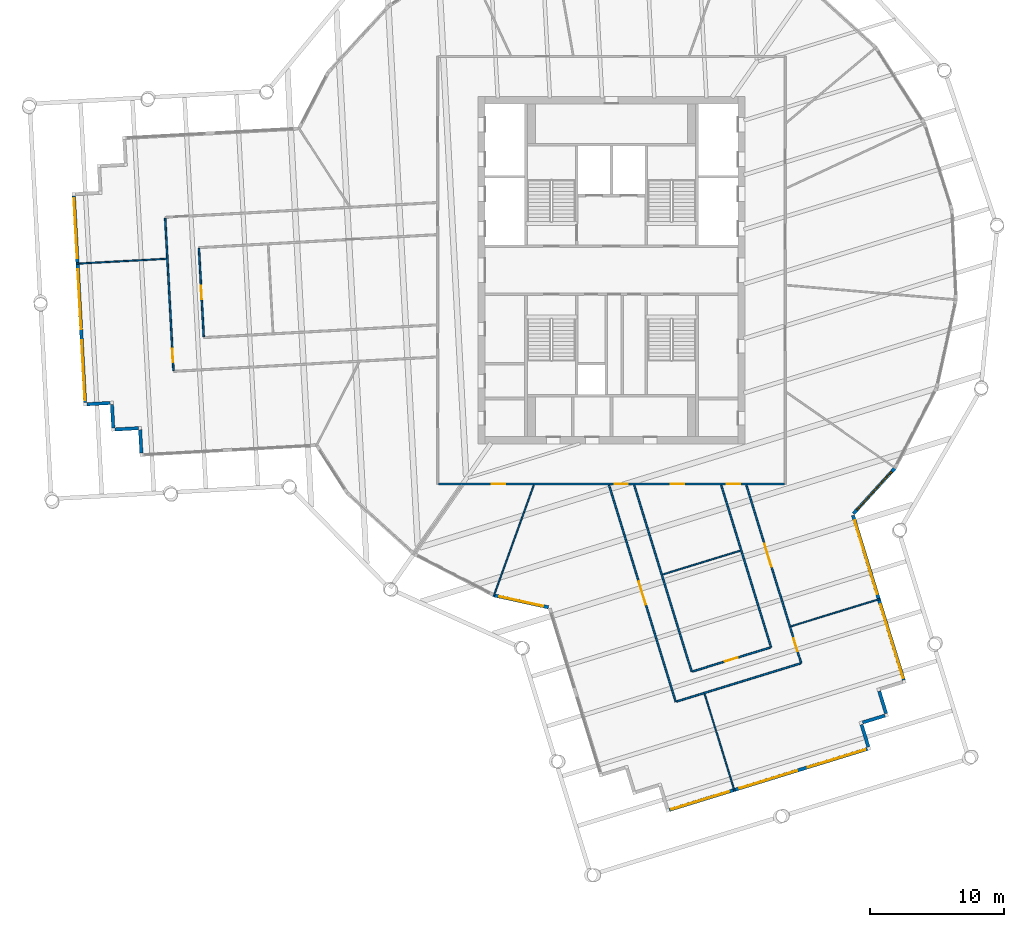
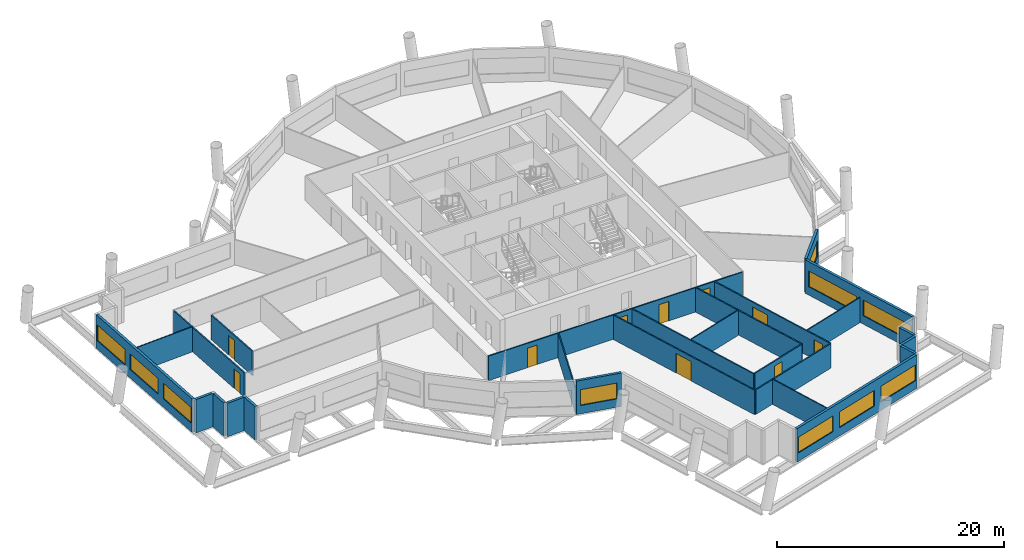
# One storey, part 3 of 11: 26 walls, 10 doors, 10 windows, 20 openings.
"""IFC4 building model written with IfcOpenShell, lengths in metres."""

from ifc_helpers import new_model, si_unit, direction, frame, frame_2d, origin, place, context, subcontext, project, spatial, rectangle, extrude, material, layer, layer_set, type_object, element, fill, save


model = new_model("IFC4")

# Units and contexts
model_context = context("Model", 3, precision=1e-05, world=origin(), true_north=direction((0.0, 1.0)))
body_context = subcontext(model_context, "Body", "Model", "MODEL_VIEW")
ifc_project = project(units=[si_unit("LENGTHUNIT", "METRE"), si_unit("AREAUNIT", "SQUARE_METRE"), si_unit("VOLUMEUNIT", "CUBIC_METRE"), si_unit("PLANEANGLEUNIT", "RADIAN"), si_unit("MASSUNIT", "GRAM", prefix="KILO")], contexts=[model_context])

# Site, building, storey
site_placement = place(None, origin())
site = spatial("IfcSite", under=ifc_project, at=site_placement, CompositionType="ELEMENT")
building_placement = place(site_placement, origin())
building = spatial("IfcBuilding", under=site, at=building_placement, Name="Tarsis Ring Headquarters", CompositionType="ELEMENT")
storey_placement = place(building_placement, frame((0.0, 0.0, 298.10009765625)))
storey = spatial("IfcBuildingStorey", under=building, at=storey_placement, Name="L70", CompositionType="ELEMENT", Elevation=298.10009765625)

# Walls
ifc_material_1 = material(Name="Gypsum board on steel studs", Category="steel")
ifc_layer_1 = layer(ifc_material_1, 0.10009765625)
ifc_layer_set_1 = layer_set([ifc_layer_1], Name="FL partition 100 unrated")
wall_type_1 = type_object("IfcWallType", Name="FL partition 100 unrated", PredefinedType="PARTITIONING", material=ifc_layer_set_1)
wall_1_placement = place(storey_placement, frame((-8.823486328125, -24.401611328125, 0.0), z_axis=(0.0, 0.0, 1.0), x_axis=(0.340042176136, 0.940410186274, 0.0)))
element("IfcWall", 1, at=wall_1_placement, inside=storey, type_object=wall_type_1, Name="Partition PW3", PredefinedType="PARTITIONING", context=body_context, shape_type="SweptSolid", body=[
    extrude(rectangle(XDim=8.85400390625, YDim=0.10009765625, at=frame_2d((4.427001953125, 0.0))), origin(), (0.0, 0.0, 1.0), 2.699951171875),
])
wall_2_placement = place(storey_placement, frame((6.97119140625, -31.70263671875, 0.0), z_axis=(0.0, 0.0, 1.0), x_axis=(0.294383805815, -0.955687278807, 0.0)))
element("IfcWall", 2, at=wall_2_placement, inside=storey, type_object=wall_type_1, Name="Partition PW3", PredefinedType="PARTITIONING", context=body_context, shape_type="SweptSolid", body=[
    extrude(rectangle(XDim=7.599853515625, YDim=0.10009765625, at=frame_2d((3.7998046875, 0.0))), origin(), (0.0, 0.0, 1.0), 2.699951171875),
])
wall_3_placement = place(storey_placement, frame((13.419921875, -26.650390625, 0.0), z_axis=(0.0, 0.0, 1.0), x_axis=(0.955691113244, 0.294371357415, 0.0)))
element("IfcWall", 3, at=wall_3_placement, inside=storey, type_object=wall_type_1, Name="Partition PW3", PredefinedType="PARTITIONING", context=body_context, shape_type="SweptSolid", body=[
    extrude(rectangle(XDim=6.969970703125, YDim=0.10009765625, at=frame_2d((3.48486328125, 0.0))), origin(), (0.0, 0.0, 1.0), 2.699951171875),
])
wall_4_placement = place(storey_placement, frame((-40.0361328125, 0.49169921875, 0.0), z_axis=(0.0, 0.0, 1.0), x_axis=(0.998518858148, 0.054406708443, 0.0)))
element("IfcWall", 4, at=wall_4_placement, inside=storey, type_object=wall_type_1, Name="Partition PW3", PredefinedType="PARTITIONING", context=body_context, shape_type="SweptSolid", body=[
    extrude(rectangle(XDim=6.739990234375, YDim=0.10009765625, at=frame_2d((3.3701171875, 0.0))), origin(), (0.0, 0.0, 1.0), 2.699951171875),
])
wall_5_placement = place(storey_placement, frame((3.8330078125, -22.7705078125, 0.0), z_axis=(0.0, 0.0, 1.0), x_axis=(0.955700834556, 0.294339794844, 0.0)))
element("IfcWall", 5, at=wall_5_placement, inside=storey, type_object=wall_type_1, Name="Partition PW3", PredefinedType="PARTITIONING", context=body_context, shape_type="SweptSolid", body=[
    extrude(rectangle(XDim=6.079833984375, YDim=0.10009765625, at=frame_2d((3.0400390625, 0.0))), origin(), (0.0, 0.0, 1.0), 2.699951171875),
])

# Wall, openings, doors
ifc_layer_2 = layer(ifc_material_1, 0.125)
ifc_layer_set_2 = layer_set([ifc_layer_2], Name="FL partition 125 EI 60 H2630")
wall_type_2 = type_object("IfcWallType", Name="FL partition 125 EI 60 H2630", PredefinedType="PARTITIONING", material=ifc_layer_set_2)
wall_6_placement = place(storey_placement, frame((-12.93994140625, -16.0, 0.0), z_axis=(0.0, 0.0, 1.0), x_axis=(1.0, 0.0, 0.0)))
wall_6 = element("IfcWall", 6, at=wall_6_placement, inside=storey, type_object=wall_type_2, Name="Partition PW1H263", PredefinedType="PARTITIONING", context=body_context, shape_type="SweptSolid", body=[
    extrude(rectangle(XDim=25.8798828125, YDim=0.125, at=frame_2d((12.93994140625, 0.0))), origin(), (0.0, 0.0, 1.0), 2.6298828125),
])
opening_1_placement = place(wall_6_placement, frame((3.970458984375, 0.0, 0.0)))
opening_1 = element("IfcOpeningElement", 7, at=opening_1_placement, cuts=wall_6, Name="Opening D70.13", PredefinedType="OPENING", context=body_context, shape_type="SweptSolid", body=[
    extrude(rectangle(XDim=1.0, YDim=2.10009765625, at=frame_2d((0.5, 1.050048828125))), frame((0.0, 0.072509765625, 0.0), z_axis=(0.0, -1.0, 0.0), x_axis=(1.0, 0.0, 0.0)), (0.0, 0.0, 1.0), 0.14501953125),
])
opening_2_placement = place(wall_6_placement, frame((17.368408203125, 0.0, 0.0)))
opening_2 = element("IfcOpeningElement", 8, at=opening_2_placement, cuts=wall_6, Name="Opening D70.17", PredefinedType="OPENING", context=body_context, shape_type="SweptSolid", body=[
    extrude(rectangle(XDim=1.0, YDim=2.10009765625, at=frame_2d((0.5, 1.050048828125))), frame((0.0, 0.072509765625, 0.0), z_axis=(0.0, -1.0, 0.0), x_axis=(1.0, 0.0, 0.0)), (0.0, 0.0, 1.0), 0.14501953125),
])
opening_3_placement = place(wall_6_placement, frame((13.17236328125, 0.0, 0.0)))
opening_3 = element("IfcOpeningElement", 9, at=opening_3_placement, cuts=wall_6, Name="Opening D70.19", PredefinedType="OPENING", context=body_context, shape_type="SweptSolid", body=[
    extrude(rectangle(XDim=1.0, YDim=2.10009765625, at=frame_2d((0.5, 1.050048828125))), frame((0.0, 0.072509765625, 0.0), z_axis=(0.0, -1.0, 0.0), x_axis=(1.0, 0.0, 0.0)), (0.0, 0.0, 1.0), 0.14501953125),
])
opening_4_placement = place(wall_6_placement, frame((21.564208984375, 0.0, 0.0)))
opening_4 = element("IfcOpeningElement", 10, at=opening_4_placement, cuts=wall_6, Name="Opening D70.20", PredefinedType="OPENING", context=body_context, shape_type="SweptSolid", body=[
    extrude(rectangle(XDim=1.0, YDim=2.10009765625, at=frame_2d((0.5, 1.050048828125))), frame((0.0, 0.072509765625, 0.0), z_axis=(0.0, -1.0, 0.0), x_axis=(1.0, 0.0, 0.0)), (0.0, 0.0, 1.0), 0.14501953125),
])
ifc_material_2 = material(Name="Fire-rated timber door leaf in steel frame", Category="steel")
door_type_1 = type_object("IfcDoorType", Name="FL door FD60-1000", OperationType="NOTDEFINED", PredefinedType="DOOR", material=ifc_material_2)
door_1_placement = place(opening_1_placement, origin())
door_1 = element("IfcDoor", 11, at=door_1_placement, inside=storey, type_object=door_type_1, Name="Door D70.13", OperationType="SINGLE_SWING_LEFT", OverallHeight=2.10009765625, OverallWidth=1.0, PredefinedType="DOOR", context=body_context, shape_type="SweptSolid", body=[
    extrude(rectangle(XDim=1.0, YDim=2.10009765625, at=frame_2d((0.5, 1.050048828125))), frame((0.0, 0.02490234375, 0.0), z_axis=(0.0, -1.0, 0.0), x_axis=(1.0, 0.0, 0.0)), (0.0, 0.0, 1.0), 0.050048828125),
])
fill(opening_1, door_1)
door_2_placement = place(opening_2_placement, origin())
door_2 = element("IfcDoor", 12, at=door_2_placement, inside=storey, type_object=door_type_1, Name="Door D70.17", OperationType="SINGLE_SWING_LEFT", OverallHeight=2.10009765625, OverallWidth=1.0, PredefinedType="DOOR", context=body_context, shape_type="SweptSolid", body=[
    extrude(rectangle(XDim=1.0, YDim=2.10009765625, at=frame_2d((0.5, 1.050048828125))), frame((0.0, 0.02490234375, 0.0), z_axis=(0.0, -1.0, 0.0), x_axis=(1.0, 0.0, 0.0)), (0.0, 0.0, 1.0), 0.050048828125),
])
fill(opening_2, door_2)
door_3_placement = place(opening_3_placement, origin())
door_3 = element("IfcDoor", 13, at=door_3_placement, inside=storey, type_object=door_type_1, Name="Door D70.19", OperationType="SINGLE_SWING_LEFT", OverallHeight=2.10009765625, OverallWidth=1.0, PredefinedType="DOOR", context=body_context, shape_type="SweptSolid", body=[
    extrude(rectangle(XDim=1.0, YDim=2.10009765625, at=frame_2d((0.5, 1.050048828125))), frame((0.0, 0.02490234375, 0.0), z_axis=(0.0, -1.0, 0.0), x_axis=(1.0, 0.0, 0.0)), (0.0, 0.0, 1.0), 0.050048828125),
])
fill(opening_3, door_3)
door_4_placement = place(opening_4_placement, origin())
door_4 = element("IfcDoor", 14, at=door_4_placement, inside=storey, type_object=door_type_1, Name="Door D70.20", OperationType="SINGLE_SWING_RIGHT", OverallHeight=2.10009765625, OverallWidth=1.0, PredefinedType="DOOR", context=body_context, shape_type="SweptSolid", body=[
    extrude(rectangle(XDim=1.0, YDim=2.10009765625, at=frame_2d((0.5, 1.050048828125))), frame((0.0, 0.02490234375, 0.0), z_axis=(0.0, -1.0, 0.0), x_axis=(1.0, 0.0, 0.0)), (0.0, 0.0, 1.0), 0.050048828125),
])
fill(opening_4, door_4)

# Wall, opening, door
wall_7_placement = place(storey_placement, frame((-0.185791015625, -16.076416015625, 0.0), z_axis=(0.0, 0.0, 1.0), x_axis=(0.294380008458, -0.955688448512, 0.0)))
wall_7 = element("IfcWall", 15, at=wall_7_placement, inside=storey, type_object=wall_type_2, Name="Partition PW1H263", PredefinedType="PARTITIONING", context=body_context, shape_type="SweptSolid", body=[
    extrude(rectangle(XDim=16.970703125, YDim=0.125, at=frame_2d((8.4853515625, 0.0))), origin(), (0.0, 0.0, 1.0), 2.6298828125),
])
opening_5_placement = place(wall_7_placement, frame((7.54541015625, 0.0, 0.0)))
opening_5 = element("IfcOpeningElement", 16, at=opening_5_placement, cuts=wall_7, Name="Opening D70.12", PredefinedType="OPENING", context=body_context, shape_type="SweptSolid", body=[
    extrude(rectangle(XDim=1.800048828125, YDim=2.10009765625, at=frame_2d((0.89990234375, 1.050048828125))), frame((0.0, 0.072509765625, 0.0), z_axis=(0.0, -1.0, 0.0), x_axis=(1.0, 0.0, 0.0)), (0.0, 0.0, 1.0), 0.14501953125),
])
door_type_2 = type_object("IfcDoorType", Name="FL door FD60-1800", OperationType="DOUBLE_DOOR_SINGLE_SWING", PredefinedType="DOOR", material=ifc_material_2)
door_5_placement = place(opening_5_placement, origin())
door_5 = element("IfcDoor", 17, at=door_5_placement, inside=storey, type_object=door_type_2, Name="Door D70.12", OperationType="DOUBLE_DOOR_SINGLE_SWING", OverallHeight=2.10009765625, OverallWidth=1.800048828125, PredefinedType="DOOR", context=body_context, shape_type="SweptSolid", body=[
    extrude(rectangle(XDim=1.800048828125, YDim=2.10009765625, at=frame_2d((0.89990234375, 1.050048828125))), frame((0.0, 0.02490234375, 0.0), z_axis=(0.0, -1.0, 0.0), x_axis=(1.0, 0.0, 0.0)), (0.0, 0.0, 1.0), 0.050048828125),
])
fill(opening_5, door_5)

# Wall
wall_8_placement = place(storey_placement, frame((1.69775390625, -16.076416015625, 0.0), z_axis=(0.0, 0.0, 1.0), x_axis=(0.294366365238, -0.955692650917, 0.0)))
element("IfcWall", 18, at=wall_8_placement, inside=storey, type_object=wall_type_2, Name="Partition PW1H263", PredefinedType="PARTITIONING", context=body_context, shape_type="SweptSolid", body=[
    extrude(rectangle(XDim=14.6162109375, YDim=0.125, at=frame_2d((7.30810546875, 0.0))), origin(), (0.0, 0.0, 1.0), 2.6298828125),
])

# Wall, openings, doors
wall_9_placement = place(storey_placement, frame((10.089599609375, -16.076416015625, 0.0), z_axis=(0.0, 0.0, 1.0), x_axis=(0.294370007189, -0.955691529139, 0.0)))
wall_9 = element("IfcWall", 19, at=wall_9_placement, inside=storey, type_object=wall_type_2, Name="Partition PW1H263", PredefinedType="PARTITIONING", context=body_context, shape_type="SweptSolid", body=[
    extrude(rectangle(XDim=13.94580078125, YDim=0.125, at=frame_2d((6.972900390625, 0.0))), origin(), (0.0, 0.0, 1.0), 2.6298828125),
])
opening_6_placement = place(wall_9_placement, frame((4.60498046875, 0.0, 0.0)))
opening_6 = element("IfcOpeningElement", 20, at=opening_6_placement, cuts=wall_9, Name="Opening D70.10", PredefinedType="OPENING", context=body_context, shape_type="SweptSolid", body=[
    extrude(rectangle(XDim=1.800048828125, YDim=2.10009765625, at=frame_2d((0.89990234375, 1.050048828125))), frame((0.0, 0.072509765625, 0.0), z_axis=(0.0, -1.0, 0.0), x_axis=(1.0, 0.0, 0.0)), (0.0, 0.0, 1.0), 0.14501953125),
])
opening_7_placement = place(wall_9_placement, frame((12.01806640625, 0.0, 0.0)))
opening_7 = element("IfcOpeningElement", 21, at=opening_7_placement, cuts=wall_9, Name="Opening D70.11", PredefinedType="OPENING", context=body_context, shape_type="SweptSolid", body=[
    extrude(rectangle(XDim=1.0, YDim=2.10009765625, at=frame_2d((0.5, 1.050048828125))), frame((0.0, 0.072509765625, 0.0), z_axis=(0.0, -1.0, 0.0), x_axis=(1.0, 0.0, 0.0)), (0.0, 0.0, 1.0), 0.14501953125),
])
door_6_placement = place(opening_7_placement, origin())
door_6 = element("IfcDoor", 22, at=door_6_placement, inside=storey, type_object=door_type_1, Name="Door D70.11", OperationType="SINGLE_SWING_LEFT", OverallHeight=2.10009765625, OverallWidth=1.0, PredefinedType="DOOR", context=body_context, shape_type="SweptSolid", body=[
    extrude(rectangle(XDim=1.0, YDim=2.10009765625, at=frame_2d((0.5, 1.050048828125))), frame((0.0, 0.02490234375, 0.0), z_axis=(0.0, -1.0, 0.0), x_axis=(1.0, 0.0, 0.0)), (0.0, 0.0, 1.0), 0.050048828125),
])
fill(opening_7, door_6)
door_7_placement = place(opening_6_placement, origin())
door_7 = element("IfcDoor", 23, at=door_7_placement, inside=storey, type_object=door_type_2, Name="Door D70.10", OperationType="DOUBLE_DOOR_SINGLE_SWING", OverallHeight=2.10009765625, OverallWidth=1.800048828125, PredefinedType="DOOR", context=body_context, shape_type="SweptSolid", body=[
    extrude(rectangle(XDim=1.800048828125, YDim=2.10009765625, at=frame_2d((0.89990234375, 1.050048828125))), frame((0.0, 0.02490234375, 0.0), z_axis=(0.0, -1.0, 0.0), x_axis=(1.0, 0.0, 0.0)), (0.0, 0.0, 1.0), 0.050048828125),
])
fill(opening_6, door_7)

# Wall
wall_10_placement = place(storey_placement, frame((8.2060546875, -16.076416015625, 0.0), z_axis=(0.0, 0.0, 1.0), x_axis=(0.294368160438, -0.955692097969, 0.0)))
element("IfcWall", 24, at=wall_10_placement, inside=storey, type_object=wall_type_2, Name="Partition PW1H263", PredefinedType="PARTITIONING", context=body_context, shape_type="SweptSolid", body=[
    extrude(rectangle(XDim=12.7001953125, YDim=0.125, at=frame_2d((6.35009765625, 0.0))), origin(), (0.0, 0.0, 1.0), 2.6298828125),
])

# Wall, opening, door
wall_11_placement = place(storey_placement, frame((-33.401611328125, 3.897705078125, 0.0), z_axis=(0.0, 0.0, 1.0), x_axis=(0.054429226633, -0.998517630935, 0.0)))
wall_11 = element("IfcWall", 25, at=wall_11_placement, inside=storey, type_object=wall_type_2, Name="Partition PW1H263", PredefinedType="PARTITIONING", context=body_context, shape_type="SweptSolid", body=[
    extrude(rectangle(XDim=11.419921875, YDim=0.125, at=frame_2d((5.7099609375, 0.0))), origin(), (0.0, 0.0, 1.0), 2.6298828125),
])
opening_8_placement = place(wall_11_placement, frame((9.780029296875, 0.0, 0.0)))
opening_8 = element("IfcOpeningElement", 26, at=opening_8_placement, cuts=wall_11, Name="Opening D70.01", PredefinedType="OPENING", context=body_context, shape_type="SweptSolid", body=[
    extrude(rectangle(XDim=1.0, YDim=2.10009765625, at=frame_2d((0.5, 1.050048828125))), frame((0.0, 0.072509765625, 0.0), z_axis=(0.0, -1.0, 0.0), x_axis=(1.0, 0.0, 0.0)), (0.0, 0.0, 1.0), 0.14501953125),
])
door_8_placement = place(opening_8_placement, origin())
door_8 = element("IfcDoor", 27, at=door_8_placement, inside=storey, type_object=door_type_1, Name="Door D70.01", OperationType="SINGLE_SWING_LEFT", OverallHeight=2.10009765625, OverallWidth=1.0, PredefinedType="DOOR", context=body_context, shape_type="SweptSolid", body=[
    extrude(rectangle(XDim=1.0, YDim=2.10009765625, at=frame_2d((0.5, 1.050048828125))), frame((0.0, 0.02490234375, 0.0), z_axis=(0.0, -1.0, 0.0), x_axis=(1.0, 0.0, 0.0)), (0.0, 0.0, 1.0), 0.050048828125),
])
fill(opening_8, door_8)

# Wall
wall_12_placement = place(storey_placement, frame((4.8671875, -32.27734375, 0.0), z_axis=(0.0, 0.0, 1.0), x_axis=(0.955696797622, 0.294352902167, 0.0)))
element("IfcWall", 28, at=wall_12_placement, inside=storey, type_object=wall_type_2, Name="Partition PW1H263", PredefinedType="PARTITIONING", context=body_context, shape_type="SweptSolid", body=[
    extrude(rectangle(XDim=9.699951171875, YDim=0.125, at=frame_2d((4.85009765625, 0.0))), origin(), (0.0, 0.0, 1.0), 2.6298828125),
])

# Wall, opening, door
wall_13_placement = place(storey_placement, frame((-30.87451171875, 1.632080078125, 0.0), z_axis=(0.0, 0.0, 1.0), x_axis=(0.054395634719, -0.998519461465, 0.0)))
wall_13 = element("IfcWall", 29, at=wall_13_placement, inside=storey, type_object=wall_type_2, Name="Partition PW1H263", PredefinedType="PARTITIONING", context=body_context, shape_type="SweptSolid", body=[
    extrude(rectangle(XDim=6.6201171875, YDim=0.125, at=frame_2d((3.31005859375, 0.0))), origin(), (0.0, 0.0, 1.0), 2.6298828125),
])
opening_9_placement = place(wall_13_placement, frame((2.81005859375, 0.0, 0.0)))
opening_9 = element("IfcOpeningElement", 30, at=opening_9_placement, cuts=wall_13, Name="Opening D70.16", PredefinedType="OPENING", context=body_context, shape_type="SweptSolid", body=[
    extrude(rectangle(XDim=1.0, YDim=2.10009765625, at=frame_2d((0.5, 1.050048828125))), frame((0.0, 0.072509765625, 0.0), z_axis=(0.0, -1.0, 0.0), x_axis=(1.0, 0.0, 0.0)), (0.0, 0.0, 1.0), 0.14501953125),
])
door_9_placement = place(opening_9_placement, origin())
door_9 = element("IfcDoor", 31, at=door_9_placement, inside=storey, type_object=door_type_1, Name="Door D70.16", OperationType="SINGLE_SWING_RIGHT", OverallHeight=2.10009765625, OverallWidth=1.0, PredefinedType="DOOR", context=body_context, shape_type="SweptSolid", body=[
    extrude(rectangle(XDim=1.0, YDim=2.10009765625, at=frame_2d((0.5, 1.050048828125))), frame((0.0, 0.02490234375, 0.0), z_axis=(0.0, -1.0, 0.0), x_axis=(1.0, 0.0, 0.0)), (0.0, 0.0, 1.0), 0.050048828125),
])
fill(opening_9, door_9)

wall_14_placement = place(storey_placement, frame((6.0576171875, -30.02734375, 0.0), z_axis=(0.0, 0.0, 1.0), x_axis=(0.955693298741, 0.294364261998, 0.0)))
wall_14 = element("IfcWall", 32, at=wall_14_placement, inside=storey, type_object=wall_type_2, Name="Partition PW1H263", PredefinedType="PARTITIONING", context=body_context, shape_type="SweptSolid", body=[
    extrude(rectangle(XDim=6.10009765625, YDim=0.125, at=frame_2d((3.050048828125, 0.0))), origin(), (0.0, 0.0, 1.0), 2.6298828125),
])
opening_10_placement = place(wall_14_placement, frame((2.550048828125, 0.0, 0.0)))
opening_10 = element("IfcOpeningElement", 33, at=opening_10_placement, cuts=wall_14, Name="Opening D70.18", PredefinedType="OPENING", context=body_context, shape_type="SweptSolid", body=[
    extrude(rectangle(XDim=1.0, YDim=2.10009765625, at=frame_2d((0.5, 1.050048828125))), frame((0.0, 0.072509765625, 0.0), z_axis=(0.0, -1.0, 0.0), x_axis=(1.0, 0.0, 0.0)), (0.0, 0.0, 1.0), 0.14501953125),
])
door_10_placement = place(opening_10_placement, origin())
door_10 = element("IfcDoor", 34, at=door_10_placement, inside=storey, type_object=door_type_1, Name="Door D70.18", OperationType="SINGLE_SWING_RIGHT", OverallHeight=2.10009765625, OverallWidth=1.0, PredefinedType="DOOR", context=body_context, shape_type="SweptSolid", body=[
    extrude(rectangle(XDim=1.0, YDim=2.10009765625, at=frame_2d((0.5, 1.050048828125))), frame((0.0, 0.02490234375, 0.0), z_axis=(0.0, -1.0, 0.0), x_axis=(1.0, 0.0, 0.0)), (0.0, 0.0, 1.0), 0.050048828125),
])
fill(opening_10, door_10)

# Wall, opening, window
ifc_material_3 = material(Name="Terracotta clad insulated panel wall", Category="masonry")
ifc_layer_3 = layer(ifc_material_3, 0.25)
ifc_layer_set_3 = layer_set([ifc_layer_3], Name="Facade wall terracotta panel 250")
wall_type_3 = type_object("IfcWallType", Name="Facade wall terracotta panel 250", PredefinedType="STANDARD", material=ifc_layer_set_3)
wall_15_placement = place(storey_placement, frame((-8.782470703125, -24.33544921875, 0.0), z_axis=(0.0, 0.0, 1.0), x_axis=(0.976748841937, -0.214386799442, 0.0)))
wall_15 = element("IfcWall", 35, at=wall_15_placement, inside=storey, type_object=wall_type_3, Name="External wall L70-05", PredefinedType="STANDARD", context=body_context, shape_type="SweptSolid", body=[
    extrude(rectangle(XDim=4.15771484375, YDim=0.25, at=frame_2d((2.078857421875, 0.0))), origin(), (0.0, 0.0, 1.0), 3.599853515625),
])
opening_11_placement = place(wall_15_placement, frame((0.38720703125, 0.0, 0.89990234375)))
opening_11 = element("IfcOpeningElement", 36, at=opening_11_placement, cuts=wall_15, Name="Opening WN01", PredefinedType="OPENING", context=body_context, shape_type="SweptSolid", body=[
    extrude(rectangle(XDim=3.35009765625, YDim=1.699951171875, at=frame_2d((1.675048828125, 0.85009765625))), frame((0.0, 0.135009765625, 0.0), z_axis=(0.0, -1.0, 0.0), x_axis=(1.0, 0.0, 0.0)), (0.0, 0.0, 1.0), 0.27001953125),
])
ifc_material_4 = material(Name="Aluminium framed double glazing", Category="aluminium")
window_type_1 = type_object("IfcWindowType", Name="Facade window 3350 x 1700", PartitioningType="SINGLE_PANEL", PredefinedType="WINDOW", material=ifc_material_4)
window_1_placement = place(opening_11_placement, origin())
window_1 = element("IfcWindow", 37, at=window_1_placement, inside=storey, type_object=window_type_1, Name="Window L70-05.1", OverallHeight=1.699951171875, OverallWidth=3.35009765625, PartitioningType="SINGLE_PANEL", PredefinedType="WINDOW", context=body_context, shape_type="SweptSolid", body=[
    extrude(rectangle(XDim=3.35009765625, YDim=1.699951171875, at=frame_2d((1.675048828125, 0.85009765625))), frame((0.0, 0.030029296875, 0.0), z_axis=(0.0, -1.0, 0.0), x_axis=(1.0, 0.0, 0.0)), (0.0, 0.0, 1.0), 0.06005859375),
])
fill(opening_11, window_1)

# Wall, openings, windows
wall_16_placement = place(storey_placement, frame((4.33154296875, -40.3896484375, 0.0), z_axis=(0.0, 0.0, 1.0), x_axis=(0.955687010692, 0.294384676223, 0.0)))
wall_16 = element("IfcWall", 38, at=wall_16_placement, inside=storey, type_object=wall_type_3, Name="External wall L70-11", PredefinedType="STANDARD", context=body_context, shape_type="SweptSolid", body=[
    extrude(rectangle(XDim=15.5, YDim=0.25, at=frame_2d((7.75, 0.0))), origin(), (0.0, 0.0, 1.0), 3.599853515625),
])
opening_12_placement = place(wall_16_placement, frame((0.166748046875, 0.0, 0.89990234375)))
opening_12 = element("IfcOpeningElement", 39, at=opening_12_placement, cuts=wall_16, Name="Opening WN04", PredefinedType="OPENING", context=body_context, shape_type="SweptSolid", body=[
    extrude(rectangle(XDim=4.5, YDim=1.699951171875, at=frame_2d((2.25, 0.85009765625))), frame((0.0, 0.135009765625, 0.0), z_axis=(0.0, -1.0, 0.0), x_axis=(1.0, 0.0, 0.0)), (0.0, 0.0, 1.0), 0.27001953125),
])
opening_13_placement = place(wall_16_placement, frame((5.5, 0.0, 0.89990234375)))
opening_13 = element("IfcOpeningElement", 40, at=opening_13_placement, cuts=wall_16, Name="Opening WN04", PredefinedType="OPENING", context=body_context, shape_type="SweptSolid", body=[
    extrude(rectangle(XDim=4.5, YDim=1.699951171875, at=frame_2d((2.25, 0.85009765625))), frame((0.0, 0.135009765625, 0.0), z_axis=(0.0, -1.0, 0.0), x_axis=(1.0, 0.0, 0.0)), (0.0, 0.0, 1.0), 0.27001953125),
])
opening_14_placement = place(wall_16_placement, frame((10.833251953125, 0.0, 0.89990234375)))
opening_14 = element("IfcOpeningElement", 41, at=opening_14_placement, cuts=wall_16, Name="Opening WN04", PredefinedType="OPENING", context=body_context, shape_type="SweptSolid", body=[
    extrude(rectangle(XDim=4.5, YDim=1.699951171875, at=frame_2d((2.25, 0.85009765625))), frame((0.0, 0.135009765625, 0.0), z_axis=(0.0, -1.0, 0.0), x_axis=(1.0, 0.0, 0.0)), (0.0, 0.0, 1.0), 0.27001953125),
])
window_type_2 = type_object("IfcWindowType", Name="Facade window 4500 x 1700", PartitioningType="SINGLE_PANEL", PredefinedType="WINDOW", material=ifc_material_4)
window_2_placement = place(opening_12_placement, origin())
window_2 = element("IfcWindow", 42, at=window_2_placement, inside=storey, type_object=window_type_2, Name="Window L70-11.1", OverallHeight=1.699951171875, OverallWidth=4.5, PartitioningType="SINGLE_PANEL", PredefinedType="WINDOW", context=body_context, shape_type="SweptSolid", body=[
    extrude(rectangle(XDim=4.5, YDim=1.699951171875, at=frame_2d((2.25, 0.85009765625))), frame((0.0, 0.030029296875, 0.0), z_axis=(0.0, -1.0, 0.0), x_axis=(1.0, 0.0, 0.0)), (0.0, 0.0, 1.0), 0.06005859375),
])
fill(opening_12, window_2)
window_3_placement = place(opening_13_placement, origin())
window_3 = element("IfcWindow", 43, at=window_3_placement, inside=storey, type_object=window_type_2, Name="Window L70-11.2", OverallHeight=1.699951171875, OverallWidth=4.5, PartitioningType="SINGLE_PANEL", PredefinedType="WINDOW", context=body_context, shape_type="SweptSolid", body=[
    extrude(rectangle(XDim=4.5, YDim=1.699951171875, at=frame_2d((2.25, 0.85009765625))), frame((0.0, 0.030029296875, 0.0), z_axis=(0.0, -1.0, 0.0), x_axis=(1.0, 0.0, 0.0)), (0.0, 0.0, 1.0), 0.06005859375),
])
fill(opening_13, window_3)
window_4_placement = place(opening_14_placement, origin())
window_4 = element("IfcWindow", 44, at=window_4_placement, inside=storey, type_object=window_type_2, Name="Window L70-11.3", OverallHeight=1.699951171875, OverallWidth=4.5, PartitioningType="SINGLE_PANEL", PredefinedType="WINDOW", context=body_context, shape_type="SweptSolid", body=[
    extrude(rectangle(XDim=4.5, YDim=1.699951171875, at=frame_2d((2.25, 0.85009765625))), frame((0.0, 0.030029296875, 0.0), z_axis=(0.0, -1.0, 0.0), x_axis=(1.0, 0.0, 0.0)), (0.0, 0.0, 1.0), 0.06005859375),
])
fill(opening_14, window_4)

# Walls
for number, where, z_axis, x_axis, name in (
    (45, (19.2275390625, -35.67041015625, 0.0), (0.0, 0.0, 1.0), (-0.294507369184, 0.95564920839, 0.0), "External wall L70-12"),
    (46, (18.794921875, -33.841796875, 0.0), (0.0, 0.0, 1.0), (0.955688466238, 0.294379950914, 0.0), "External wall L70-13"),
):
    element("IfcWall", number, at=place(storey_placement, frame(where, z_axis=z_axis, x_axis=x_axis)), inside=storey, type_object=wall_type_3, Name=name, PredefinedType="STANDARD", context=body_context, shape_type="SweptSolid", body=[
        extrude(rectangle(XDim=1.75, YDim=0.25, at=frame_2d((0.875, 0.0))), origin(), (0.0, 0.0, 1.0), 3.599853515625),
    ])
wall_17_placement = place(storey_placement, frame((20.550048828125, -33.17041015625, 0.0), z_axis=(0.0, 0.0, 1.0), x_axis=(-0.294340704933, 0.955700554263, 0.0)))
element("IfcWall", 47, at=wall_17_placement, inside=storey, type_object=wall_type_3, Name="External wall L70-14", PredefinedType="STANDARD", context=body_context, shape_type="SweptSolid", body=[
    extrude(rectangle(XDim=1.750244140625, YDim=0.25, at=frame_2d((0.875, 0.0))), origin(), (0.0, 0.0, 1.0), 3.599853515625),
])

# Wall, openings, windows
wall_18_placement = place(storey_placement, frame((21.872802734375, -30.670166015625, 0.0), z_axis=(0.0, 0.0, 1.0), x_axis=(-0.294378386535, 0.955688948111, 0.0)))
wall_18 = element("IfcWall", 48, at=wall_18_placement, inside=storey, type_object=wall_type_3, Name="External wall L70-16", PredefinedType="STANDARD", context=body_context, shape_type="SweptSolid", body=[
    extrude(rectangle(XDim=12.9013671875, YDim=0.25, at=frame_2d((6.45068359375, 0.0))), origin(), (0.0, 0.0, 1.0), 3.599853515625),
])
opening_15_placement = place(wall_18_placement, frame((0.162841796875, 0.0, 0.89990234375)))
opening_15 = element("IfcOpeningElement", 49, at=opening_15_placement, cuts=wall_18, Name="Opening WN06", PredefinedType="OPENING", context=body_context, shape_type="SweptSolid", body=[
    extrude(rectangle(XDim=5.75, YDim=1.699951171875, at=frame_2d((2.875, 0.85009765625))), frame((0.0, 0.135009765625, 0.0), z_axis=(0.0, -1.0, 0.0), x_axis=(1.0, 0.0, 0.0)), (0.0, 0.0, 1.0), 0.27001953125),
])
opening_16_placement = place(wall_18_placement, frame((6.738525390625, 0.0, 0.89990234375)))
opening_16 = element("IfcOpeningElement", 50, at=opening_16_placement, cuts=wall_18, Name="Opening WN06", PredefinedType="OPENING", context=body_context, shape_type="SweptSolid", body=[
    extrude(rectangle(XDim=5.75, YDim=1.699951171875, at=frame_2d((2.875, 0.85009765625))), frame((0.0, 0.135009765625, 0.0), z_axis=(0.0, -1.0, 0.0), x_axis=(1.0, 0.0, 0.0)), (0.0, 0.0, 1.0), 0.27001953125),
])
window_type_3 = type_object("IfcWindowType", Name="Facade window 5750 x 1700", PartitioningType="SINGLE_PANEL", PredefinedType="WINDOW", material=ifc_material_4)
window_5_placement = place(opening_15_placement, origin())
window_5 = element("IfcWindow", 51, at=window_5_placement, inside=storey, type_object=window_type_3, Name="Window L70-16.1", OverallHeight=1.699951171875, OverallWidth=5.75, PartitioningType="SINGLE_PANEL", PredefinedType="WINDOW", context=body_context, shape_type="SweptSolid", body=[
    extrude(rectangle(XDim=5.75, YDim=1.699951171875, at=frame_2d((2.875, 0.85009765625))), frame((0.0, 0.030029296875, 0.0), z_axis=(0.0, -1.0, 0.0), x_axis=(1.0, 0.0, 0.0)), (0.0, 0.0, 1.0), 0.06005859375),
])
fill(opening_15, window_5)
window_6_placement = place(opening_16_placement, origin())
window_6 = element("IfcWindow", 52, at=window_6_placement, inside=storey, type_object=window_type_3, Name="Window L70-16.2", OverallHeight=1.699951171875, OverallWidth=5.75, PartitioningType="SINGLE_PANEL", PredefinedType="WINDOW", context=body_context, shape_type="SweptSolid", body=[
    extrude(rectangle(XDim=5.75, YDim=1.699951171875, at=frame_2d((2.875, 0.85009765625))), frame((0.0, 0.030029296875, 0.0), z_axis=(0.0, -1.0, 0.0), x_axis=(1.0, 0.0, 0.0)), (0.0, 0.0, 1.0), 0.06005859375),
])
fill(opening_16, window_6)

# Wall, opening, window
wall_19_placement = place(storey_placement, frame((18.10205078125, -18.219482421875, 0.0), z_axis=(0.0, 0.0, 1.0), x_axis=(0.674037412102, 0.738697209341, 0.0)))
wall_19 = element("IfcWall", 53, at=wall_19_placement, inside=storey, type_object=wall_type_3, Name="External wall L70-17", PredefinedType="STANDARD", context=body_context, shape_type="SweptSolid", body=[
    extrude(rectangle(XDim=4.61767578125, YDim=0.25, at=frame_2d((2.308837890625, 0.0))), origin(), (0.0, 0.0, 1.0), 3.599853515625),
])
opening_17_placement = place(wall_19_placement, frame((0.400390625, 0.0, 0.89990234375)))
opening_17 = element("IfcOpeningElement", 54, at=opening_17_placement, cuts=wall_19, Name="Opening WN02", PredefinedType="OPENING", context=body_context, shape_type="SweptSolid", body=[
    extrude(rectangle(XDim=3.85009765625, YDim=1.699951171875, at=frame_2d((1.925048828125, 0.85009765625))), frame((0.0, 0.135009765625, 0.0), z_axis=(0.0, -1.0, 0.0), x_axis=(1.0, 0.0, 0.0)), (0.0, 0.0, 1.0), 0.27001953125),
])
window_type_4 = type_object("IfcWindowType", Name="Facade window 3850 x 1700", PartitioningType="SINGLE_PANEL", PredefinedType="WINDOW", material=ifc_material_4)
window_7_placement = place(opening_17_placement, origin())
window_7 = element("IfcWindow", 55, at=window_7_placement, inside=storey, type_object=window_type_4, Name="Window L70-17.1", OverallHeight=1.699951171875, OverallWidth=3.85009765625, PartitioningType="SINGLE_PANEL", PredefinedType="WINDOW", context=body_context, shape_type="SweptSolid", body=[
    extrude(rectangle(XDim=3.85009765625, YDim=1.699951171875, at=frame_2d((1.925048828125, 0.85009765625))), frame((0.0, 0.030029296875, 0.0), z_axis=(0.0, -1.0, 0.0), x_axis=(1.0, 0.0, 0.0)), (0.0, 0.0, 1.0), 0.06005859375),
])
fill(opening_17, window_7)

# Wall, openings, windows
wall_20_placement = place(storey_placement, frame((-40.23779296875, 5.568115234375, 0.0), z_axis=(0.0, 0.0, 1.0), x_axis=(0.054436225041, -0.998517249427, 0.0)))
wall_20 = element("IfcWall", 56, at=wall_20_placement, inside=storey, type_object=wall_type_3, Name="External wall L70-36", PredefinedType="STANDARD", context=body_context, shape_type="SweptSolid", body=[
    extrude(rectangle(XDim=15.499755859375, YDim=0.25, at=frame_2d((7.75, 0.0))), origin(), (0.0, 0.0, 1.0), 3.599853515625),
])
opening_18_placement = place(wall_20_placement, frame((0.166748046875, 0.0, 0.89990234375)))
opening_18 = element("IfcOpeningElement", 57, at=opening_18_placement, cuts=wall_20, Name="Opening WN04", PredefinedType="OPENING", context=body_context, shape_type="SweptSolid", body=[
    extrude(rectangle(XDim=4.5, YDim=1.699951171875, at=frame_2d((2.25, 0.85009765625))), frame((0.0, 0.135009765625, 0.0), z_axis=(0.0, -1.0, 0.0), x_axis=(1.0, 0.0, 0.0)), (0.0, 0.0, 1.0), 0.27001953125),
])
opening_19_placement = place(wall_20_placement, frame((5.5, 0.0, 0.89990234375)))
opening_19 = element("IfcOpeningElement", 58, at=opening_19_placement, cuts=wall_20, Name="Opening WN04", PredefinedType="OPENING", context=body_context, shape_type="SweptSolid", body=[
    extrude(rectangle(XDim=4.5, YDim=1.699951171875, at=frame_2d((2.25, 0.85009765625))), frame((0.0, 0.135009765625, 0.0), z_axis=(0.0, -1.0, 0.0), x_axis=(1.0, 0.0, 0.0)), (0.0, 0.0, 1.0), 0.27001953125),
])
opening_20_placement = place(wall_20_placement, frame((10.833251953125, 0.0, 0.89990234375)))
opening_20 = element("IfcOpeningElement", 59, at=opening_20_placement, cuts=wall_20, Name="Opening WN04", PredefinedType="OPENING", context=body_context, shape_type="SweptSolid", body=[
    extrude(rectangle(XDim=4.5, YDim=1.699951171875, at=frame_2d((2.25, 0.85009765625))), frame((0.0, 0.135009765625, 0.0), z_axis=(0.0, -1.0, 0.0), x_axis=(1.0, 0.0, 0.0)), (0.0, 0.0, 1.0), 0.27001953125),
])
window_8_placement = place(opening_18_placement, origin())
window_8 = element("IfcWindow", 60, at=window_8_placement, inside=storey, type_object=window_type_2, Name="Window L70-36.1", OverallHeight=1.699951171875, OverallWidth=4.5, PartitioningType="SINGLE_PANEL", PredefinedType="WINDOW", context=body_context, shape_type="SweptSolid", body=[
    extrude(rectangle(XDim=4.5, YDim=1.699951171875, at=frame_2d((2.25, 0.85009765625))), frame((0.0, 0.030029296875, 0.0), z_axis=(0.0, -1.0, 0.0), x_axis=(1.0, 0.0, 0.0)), (0.0, 0.0, 1.0), 0.06005859375),
])
fill(opening_18, window_8)
window_9_placement = place(opening_19_placement, origin())
window_9 = element("IfcWindow", 61, at=window_9_placement, inside=storey, type_object=window_type_2, Name="Window L70-36.2", OverallHeight=1.699951171875, OverallWidth=4.5, PartitioningType="SINGLE_PANEL", PredefinedType="WINDOW", context=body_context, shape_type="SweptSolid", body=[
    extrude(rectangle(XDim=4.5, YDim=1.699951171875, at=frame_2d((2.25, 0.85009765625))), frame((0.0, 0.030029296875, 0.0), z_axis=(0.0, -1.0, 0.0), x_axis=(1.0, 0.0, 0.0)), (0.0, 0.0, 1.0), 0.06005859375),
])
fill(opening_19, window_9)
window_10_placement = place(opening_20_placement, origin())
window_10 = element("IfcWindow", 62, at=window_10_placement, inside=storey, type_object=window_type_2, Name="Window L70-36.3", OverallHeight=1.699951171875, OverallWidth=4.5, PartitioningType="SINGLE_PANEL", PredefinedType="WINDOW", context=body_context, shape_type="SweptSolid", body=[
    extrude(rectangle(XDim=4.5, YDim=1.699951171875, at=frame_2d((2.25, 0.85009765625))), frame((0.0, 0.030029296875, 0.0), z_axis=(0.0, -1.0, 0.0), x_axis=(1.0, 0.0, 0.0)), (0.0, 0.0, 1.0), 0.06005859375),
])
fill(opening_20, window_10)

# Walls
for number, where, z_axis, x_axis, name in (
    (63, (-39.262451171875, -10.02685546875, 0.0), (0.0, 0.0, 1.0), (0.998518603529, 0.054411381218, 0.0), "External wall L70-37"),
    (64, (-37.383544921875, -10.049560546875, 0.0), (0.0, 0.0, 1.0), (0.054550482943, -0.998511013866, 0.0), "External wall L70-38"),
    (65, (-37.156494140625, -11.9150390625, 0.0), (0.0, 0.0, 1.0), (0.998518603529, 0.054411381218, 0.0), "External wall L70-39"),
    (66, (-35.277587890625, -11.937744140625, 0.0), (0.0, 0.0, 1.0), (0.054411381218, -0.998518603529, 0.0), "External wall L70-40"),
):
    element("IfcWall", number, at=place(storey_placement, frame(where, z_axis=z_axis, x_axis=x_axis)), inside=storey, type_object=wall_type_3, Name=name, PredefinedType="STANDARD", context=body_context, shape_type="SweptSolid", body=[
        extrude(rectangle(XDim=1.75, YDim=0.25, at=frame_2d((0.875, 0.0))), origin(), (0.0, 0.0, 1.0), 3.599853515625),
    ])

save(model, "model.ifc")
